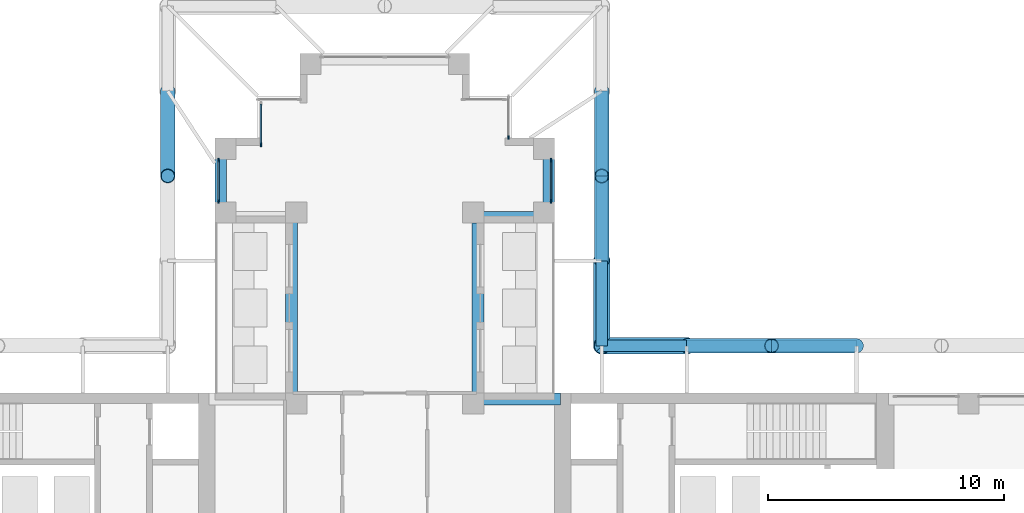
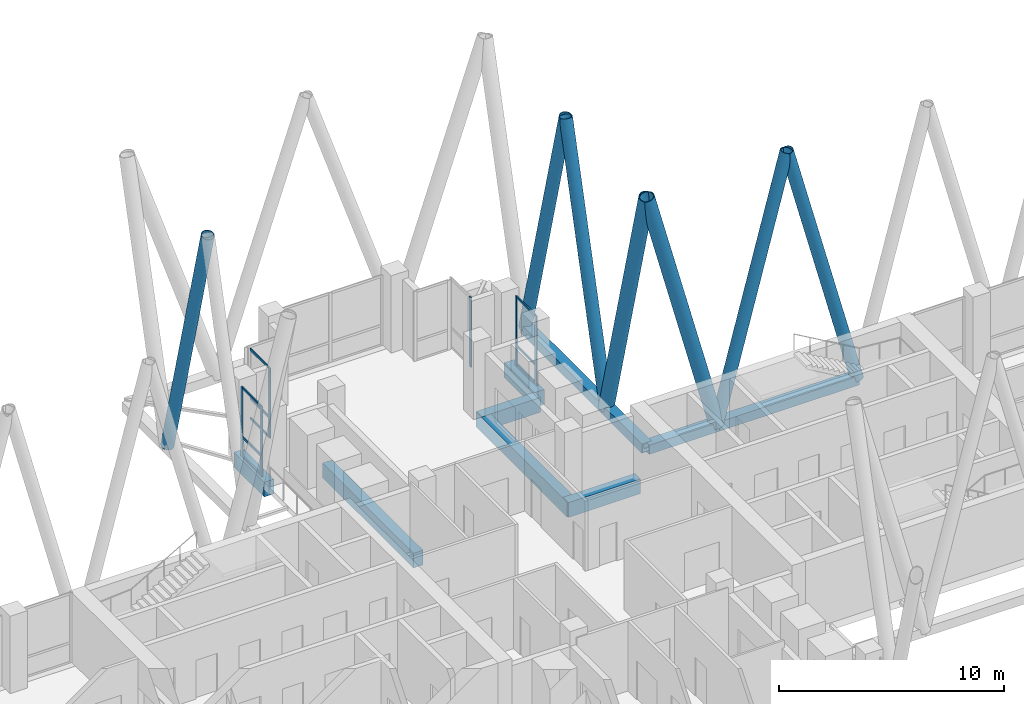
# One storey, part 7 of 22: 26 members, 6 beams, 4 elements without a shape of their own.
"""IFC4 building model written with IfcOpenShell, lengths in metres."""

from ifc_helpers import new_model, si_unit, direction, frame, origin, origin_2d, place, context, subcontext, project, spatial, rectangle, hollow_rectangle, hollow_circle, extrude, material, material_profile, profile_set, type_object, element, aggregate, save


model = new_model("IFC4")

# Units and contexts
model_context = context("Model", 3, precision=1e-05, world=origin(), true_north=direction((0.0, 1.0)))
body_context = subcontext(model_context, "Body", "Model", "MODEL_VIEW")
ifc_project = project(units=[si_unit("LENGTHUNIT", "METRE"), si_unit("AREAUNIT", "SQUARE_METRE"), si_unit("VOLUMEUNIT", "CUBIC_METRE"), si_unit("PLANEANGLEUNIT", "RADIAN"), si_unit("MASSUNIT", "GRAM", prefix="KILO")], contexts=[model_context])

# Site, building, storey
site_placement = place(None, origin())
site = spatial("IfcSite", under=ifc_project, at=site_placement, CompositionType="ELEMENT")
building_placement = place(site_placement, origin())
building = spatial("IfcBuilding", under=site, at=building_placement, Name="Fustian Cross Tower", CompositionType="ELEMENT")
storey_placement = place(building_placement, frame((0.0, 0.0, 116.10009765625)))
storey = spatial("IfcBuildingStorey", under=building, at=storey_placement, Name="L36", CompositionType="ELEMENT", Elevation=116.10009765625)

# Curtain wall, members
ifc_material_1 = material(Name="Dark anodised aluminium and double glazing", Category="aluminium")
curtain_wall_type = type_object("IfcCurtainWallType", Name="CW1 LOUNGE CURTAIN WALL", PredefinedType="NOTDEFINED", material=ifc_material_1)
curtain_wall_1_placement = place(storey_placement, origin())
curtain_wall_1 = element("IfcCurtainWall", 1, at=curtain_wall_1_placement, inside=storey, type_object=curtain_wall_type, Name="Curtain wall", PredefinedType="NOTDEFINED")
ifc_material_2 = material(Name="Aluminium alloy 6063", Category="aluminium")
ifc_material_profile_1 = material_profile(ifc_material_2, rectangle(XDim=0.06005859375, YDim=0.159912109375, at=origin_2d()), Name="CW1 MULLION 60X160")
ifc_profile_set_1 = profile_set([ifc_material_profile_1], Name="Aluminium alloy 6063")
member_type_1 = type_object("IfcMemberType", Name="CW1 MULLION 60X160", PredefinedType="MULLION", material=ifc_profile_set_1)
member_1_placement = place(storey_placement, frame((7.050048828125, 15.330078125, 0.0), z_axis=(0.0, 0.0, 1.0), x_axis=(-1.0, 0.0, 0.0)))
member_1 = element("IfcMember", 2, at=member_1_placement, type_object=member_type_1, Name="CW1 mullion 1", PredefinedType="MULLION", context=body_context, shape_type="SweptSolid", body=[
    extrude(rectangle(XDim=0.06005859375, YDim=0.159912109375, at=origin_2d()), origin(), (0.0, 0.0, 1.0), 3.7998046875),
])
member_2_placement = place(storey_placement, frame((7.050048828125, 17.070068359375, 0.0), z_axis=(0.0, 0.0, 1.0), x_axis=(-1.0, 0.0, 0.0)))
member_2 = element("IfcMember", 3, at=member_2_placement, type_object=member_type_1, Name="CW1 mullion 2", PredefinedType="MULLION", context=body_context, shape_type="SweptSolid", body=[
    extrude(rectangle(XDim=0.06005859375, YDim=0.159912109375, at=origin_2d()), origin(), (0.0, 0.0, 1.0), 3.7998046875),
])

# Curtain wall, member
curtain_wall_2_placement = place(storey_placement, origin())
curtain_wall_2 = element("IfcCurtainWall", 4, at=curtain_wall_2_placement, inside=storey, type_object=curtain_wall_type, Name="Curtain wall", PredefinedType="NOTDEFINED")
member_3_placement = place(storey_placement, frame((5.25, 18.030029296875, 0.0), z_axis=(0.0, 0.0, 1.0), x_axis=(-1.0, 0.0, 0.0)))
member_3 = element("IfcMember", 5, at=member_3_placement, type_object=member_type_1, Name="CW1 mullion 1", PredefinedType="MULLION", context=body_context, shape_type="SweptSolid", body=[
    extrude(rectangle(XDim=0.06005859375, YDim=0.159912109375, at=origin_2d()), origin(), (0.0, 0.0, 1.0), 3.7998046875),
])
aggregate(curtain_wall_2, [member_3])

curtain_wall_3_placement = place(storey_placement, origin())
curtain_wall_3 = element("IfcCurtainWall", 6, at=curtain_wall_3_placement, inside=storey, type_object=curtain_wall_type, Name="Curtain wall", PredefinedType="NOTDEFINED")
member_4_placement = place(storey_placement, frame((-5.25, 17.72998046875, 0.0), z_axis=(0.0, 0.0, 1.0), x_axis=(1.0, 0.0, 0.0)))
member_4 = element("IfcMember", 7, at=member_4_placement, type_object=member_type_1, Name="CW1 mullion 2", PredefinedType="MULLION", context=body_context, shape_type="SweptSolid", body=[
    extrude(rectangle(XDim=0.06005859375, YDim=0.159912109375, at=origin_2d()), origin(), (0.0, 0.0, 1.0), 3.7998046875),
])

# Curtain wall, members
curtain_wall_4_placement = place(storey_placement, origin())
curtain_wall_4 = element("IfcCurtainWall", 8, at=curtain_wall_4_placement, inside=storey, type_object=curtain_wall_type, Name="Curtain wall", PredefinedType="NOTDEFINED")
member_5_placement = place(storey_placement, frame((-7.050048828125, 17.070068359375, 0.0), z_axis=(0.0, 0.0, 1.0), x_axis=(1.0, 0.0, 0.0)))
member_5 = element("IfcMember", 9, at=member_5_placement, type_object=member_type_1, Name="CW1 mullion 1", PredefinedType="MULLION", context=body_context, shape_type="SweptSolid", body=[
    extrude(rectangle(XDim=0.06005859375, YDim=0.159912109375, at=origin_2d()), origin(), (0.0, 0.0, 1.0), 3.7998046875),
])
member_6_placement = place(storey_placement, frame((-7.050048828125, 15.330078125, 0.0), z_axis=(0.0, 0.0, 1.0), x_axis=(1.0, 0.0, 0.0)))
member_6 = element("IfcMember", 10, at=member_6_placement, type_object=member_type_1, Name="CW1 mullion 2", PredefinedType="MULLION", context=body_context, shape_type="SweptSolid", body=[
    extrude(rectangle(XDim=0.06005859375, YDim=0.159912109375, at=origin_2d()), origin(), (0.0, 0.0, 1.0), 3.7998046875),
])

# Member
ifc_material_3 = material(Name="Aluminium alloy 6063", Category="aluminium")
ifc_material_profile_2 = material_profile(ifc_material_3, rectangle(XDim=0.06005859375, YDim=0.1201171875, at=origin_2d()), Name="CW1 TRANSOM 60X120")
ifc_profile_set_2 = profile_set([ifc_material_profile_2], Name="Aluminium alloy 6063")
member_type_2 = type_object("IfcMemberType", Name="CW1 TRANSOM 60X120", PredefinedType="USERDEFINED", material=ifc_profile_set_2)
member_7_placement = place(storey_placement, frame((7.050048828125, 15.360107421875, 0.02978515625), z_axis=(0.0, 1.0, 0.0), x_axis=(-1.0, 0.0, 0.0)))
member_7 = element("IfcMember", 11, at=member_7_placement, type_object=member_type_2, Name="CW1 transom 1.1", ObjectType="TRANSOM", PredefinedType="USERDEFINED", context=body_context, shape_type="SweptSolid", body=[
    extrude(rectangle(XDim=0.06005859375, YDim=0.1201171875, at=origin_2d()), origin(), (0.0, 0.0, 1.0), 1.679931640625),
])

member_8_placement = place(storey_placement, frame((7.050048828125, 15.360107421875, 1.099853515625), z_axis=(0.0, 1.0, 0.0), x_axis=(-1.0, 0.0, 0.0)))
member_8 = element("IfcMember", 12, at=member_8_placement, type_object=member_type_2, Name="CW1 transom 1.2", ObjectType="TRANSOM", PredefinedType="USERDEFINED", context=body_context, shape_type="SweptSolid", body=[
    extrude(rectangle(XDim=0.06005859375, YDim=0.1201171875, at=origin_2d()), origin(), (0.0, 0.0, 1.0), 1.679931640625),
])

member_9_placement = place(storey_placement, frame((7.050048828125, 15.360107421875, 3.77001953125), z_axis=(0.0, 1.0, 0.0), x_axis=(-1.0, 0.0, 0.0)))
member_9 = element("IfcMember", 13, at=member_9_placement, type_object=member_type_2, Name="CW1 transom 1.3", ObjectType="TRANSOM", PredefinedType="USERDEFINED", context=body_context, shape_type="SweptSolid", body=[
    extrude(rectangle(XDim=0.06005859375, YDim=0.1201171875, at=origin_2d()), origin(), (0.0, 0.0, 1.0), 1.679931640625),
])

aggregate(curtain_wall_1, [member_1, member_2, member_7, member_8, member_9])

member_10_placement = place(storey_placement, frame((-5.25, 19.43994140625, 0.02978515625), z_axis=(0.0, -1.0, 0.0), x_axis=(1.0, 0.0, 0.0)))
member_10 = element("IfcMember", 14, at=member_10_placement, type_object=member_type_2, Name="CW1 transom 1.1", ObjectType="TRANSOM", PredefinedType="USERDEFINED", context=body_context, shape_type="SweptSolid", body=[
    extrude(rectangle(XDim=0.06005859375, YDim=0.1201171875, at=origin_2d()), origin(), (0.0, 0.0, 1.0), 1.679931640625),
])

member_11_placement = place(storey_placement, frame((-5.25, 19.43994140625, 1.099853515625), z_axis=(0.0, -1.0, 0.0), x_axis=(1.0, 0.0, 0.0)))
member_11 = element("IfcMember", 15, at=member_11_placement, type_object=member_type_2, Name="CW1 transom 1.2", ObjectType="TRANSOM", PredefinedType="USERDEFINED", context=body_context, shape_type="SweptSolid", body=[
    extrude(rectangle(XDim=0.06005859375, YDim=0.1201171875, at=origin_2d()), origin(), (0.0, 0.0, 1.0), 1.679931640625),
])

member_12_placement = place(storey_placement, frame((-5.25, 19.43994140625, 3.77001953125), z_axis=(0.0, -1.0, 0.0), x_axis=(1.0, 0.0, 0.0)))
member_12 = element("IfcMember", 16, at=member_12_placement, type_object=member_type_2, Name="CW1 transom 1.3", ObjectType="TRANSOM", PredefinedType="USERDEFINED", context=body_context, shape_type="SweptSolid", body=[
    extrude(rectangle(XDim=0.06005859375, YDim=0.1201171875, at=origin_2d()), origin(), (0.0, 0.0, 1.0), 1.679931640625),
])

aggregate(curtain_wall_3, [member_4, member_10, member_11, member_12])

member_13_placement = place(storey_placement, frame((-7.050048828125, 17.0400390625, 0.02978515625), z_axis=(0.0, -1.0, 0.0), x_axis=(1.0, 0.0, 0.0)))
member_13 = element("IfcMember", 17, at=member_13_placement, type_object=member_type_2, Name="CW1 transom 1.1", ObjectType="TRANSOM", PredefinedType="USERDEFINED", context=body_context, shape_type="SweptSolid", body=[
    extrude(rectangle(XDim=0.06005859375, YDim=0.1201171875, at=origin_2d()), origin(), (0.0, 0.0, 1.0), 1.679931640625),
])

member_14_placement = place(storey_placement, frame((-7.050048828125, 17.0400390625, 1.099853515625), z_axis=(0.0, -1.0, 0.0), x_axis=(1.0, 0.0, 0.0)))
member_14 = element("IfcMember", 18, at=member_14_placement, type_object=member_type_2, Name="CW1 transom 1.2", ObjectType="TRANSOM", PredefinedType="USERDEFINED", context=body_context, shape_type="SweptSolid", body=[
    extrude(rectangle(XDim=0.06005859375, YDim=0.1201171875, at=origin_2d()), origin(), (0.0, 0.0, 1.0), 1.679931640625),
])

member_15_placement = place(storey_placement, frame((-7.050048828125, 17.0400390625, 3.77001953125), z_axis=(0.0, -1.0, 0.0), x_axis=(1.0, 0.0, 0.0)))
member_15 = element("IfcMember", 19, at=member_15_placement, type_object=member_type_2, Name="CW1 transom 1.3", ObjectType="TRANSOM", PredefinedType="USERDEFINED", context=body_context, shape_type="SweptSolid", body=[
    extrude(rectangle(XDim=0.06005859375, YDim=0.1201171875, at=origin_2d()), origin(), (0.0, 0.0, 1.0), 1.679931640625),
])

aggregate(curtain_wall_4, [member_5, member_6, member_13, member_14, member_15])

# Members
ifc_material_4 = material(Name="Steel S355", Category="steel")
ifc_material_profile_3 = material_profile(ifc_material_4, hollow_circle(Radius=0.3046875, WallThickness=0.02490234375, at=origin_2d()), Name="CHS 610x25")
ifc_profile_set_3 = profile_set([ifc_material_profile_3], Name="Steel S355")
member_type_3 = type_object("IfcMemberType", Name="DIAGRID DIAGONAL CHS 610x25", PredefinedType="BRACE", material=ifc_profile_set_3)
member_16_placement = place(storey_placement, frame((20.0, 9.199951171875, -0.400146484375), z_axis=(-0.255897330119, 0.0, 0.966703965254), x_axis=(0.0, -1.0, 0.0)))
element("IfcMember", 20, at=member_16_placement, inside=storey, type_object=member_type_3, Name="Diagrid diagonal E-N 08", PredefinedType="BRACE", context=body_context, shape_type="SweptSolid", body=[
    extrude(hollow_circle(Radius=0.3046875, WallThickness=0.02490234375, at=origin_2d()), origin(), (0.0, 0.0, 1.0), 14.068603515625),
])
for number, where, z_axis, x_axis, name in (
    (21, (12.800048828125, 9.199951171875, -0.400146484375), (0.255881112712, 0.0, 0.966708258037), (0.0, 1.0, 0.0), "Diagrid diagonal E-N 09"),
    (22, (9.199951171875, 12.800048828125, -0.400146484375), (0.0, 0.255881112712, 0.966708258037), (-1.0, 0.0, 0.0), "Diagrid diagonal N-E 02"),
):
    element("IfcMember", number, at=place(storey_placement, frame(where, z_axis=z_axis, x_axis=x_axis)), inside=storey, type_object=member_type_3, Name=name, PredefinedType="BRACE", context=body_context, shape_type="SweptSolid", body=[
        extrude(hollow_circle(Radius=0.3046875, WallThickness=0.02490234375, at=origin_2d()), origin(), (0.0, 0.0, 1.0), 14.068359375),
    ])
for number, where, z_axis, x_axis, name in (
    (23, (9.199951171875, 20.0, -0.400146484375), (0.0, -0.255897330119, 0.966703965254), (1.0, 0.0, 0.0), "Diagrid diagonal N-E 03"),
    (24, (-9.199951171875, 20.0, -0.400146484375), (0.0, -0.255897330119, 0.966703965254), (1.0, 0.0, 0.0), "Diagrid diagonal N-W 02"),
):
    element("IfcMember", number, at=place(storey_placement, frame(where, z_axis=z_axis, x_axis=x_axis)), inside=storey, type_object=member_type_3, Name=name, PredefinedType="BRACE", context=body_context, shape_type="SweptSolid", body=[
        extrude(hollow_circle(Radius=0.3046875, WallThickness=0.02490234375, at=origin_2d()), origin(), (0.0, 0.0, 1.0), 14.068603515625),
    ])
ifc_material_5 = material(Name="Steel S355", Category="steel")
ifc_material_profile_4 = material_profile(ifc_material_5, hollow_circle(Radius=0.355712890625, WallThickness=0.031982421875, at=origin_2d()), Name="CHS 711x32")
ifc_profile_set_4 = profile_set([ifc_material_profile_4], Name="Steel S355")
member_type_4 = type_object("IfcMemberType", Name="DIAGRID DIAGONAL CHS 711x32", PredefinedType="BRACE", material=ifc_profile_set_4)
for number, where, z_axis, x_axis, name in (
    (25, (12.800048828125, 9.199951171875, -0.400146484375), (-0.255897330119, 0.0, 0.966703965254), (0.0, -1.0, 0.0), "Diagrid diagonal E-N 10"),
    (26, (9.199951171875, 12.800048828125, -0.400146484375), (0.0, -0.255897330119, 0.966703965254), (1.0, 0.0, 0.0), "Diagrid diagonal N-E 01"),
):
    element("IfcMember", number, at=place(storey_placement, frame(where, z_axis=z_axis, x_axis=x_axis)), inside=storey, type_object=member_type_4, Name=name, PredefinedType="BRACE", context=body_context, shape_type="SweptSolid", body=[
        extrude(hollow_circle(Radius=0.355712890625, WallThickness=0.031982421875, at=origin_2d()), origin(), (0.0, 0.0, 1.0), 14.068603515625),
    ])
ifc_material_6 = material(Name="Steel S355", Category="steel")
ifc_material_profile_5 = material_profile(ifc_material_6, hollow_rectangle(XDim=0.5, YDim=0.5, WallThickness=0.02490234375, at=origin_2d()), Name="RHS 500x500x25")
ifc_profile_set_5 = profile_set([ifc_material_profile_5], Name="Steel S355")
member_type_5 = type_object("IfcMemberType", Name="DIAGRID RING RHS 500x500x25", PredefinedType="MEMBER", material=ifc_profile_set_5)
member_17_placement = place(storey_placement, frame((20.0, 9.199951171875, -0.400146484375), z_axis=(-1.0, 0.0, 0.0), x_axis=(0.0, -1.0, 0.0)))
element("IfcMember", 27, at=member_17_placement, inside=storey, type_object=member_type_5, Name="Diagrid ring L36-06 L36-07", PredefinedType="MEMBER", context=body_context, shape_type="SweptSolid", body=[
    extrude(hollow_rectangle(XDim=0.5, YDim=0.5, WallThickness=0.02490234375, at=origin_2d()), origin(), (0.0, 0.0, 1.0), 7.199951171875),
])
for number, where, z_axis, x_axis, name in (
    (28, (12.800048828125, 9.199951171875, -0.400146484375), (-1.0, 0.0, 0.0), (0.0, -1.0, 0.0), "Diagrid ring L36-07 L36-08"),
    (29, (9.199951171875, 9.199951171875, -0.400146484375), (0.0, 1.0, 0.0), (-1.0, 0.0, 0.0), "Diagrid ring L36-08 L36-09"),
):
    element("IfcMember", number, at=place(storey_placement, frame(where, z_axis=z_axis, x_axis=x_axis)), inside=storey, type_object=member_type_5, Name=name, PredefinedType="MEMBER", context=body_context, shape_type="SweptSolid", body=[
        extrude(hollow_rectangle(XDim=0.5, YDim=0.5, WallThickness=0.02490234375, at=origin_2d()), origin(), (0.0, 0.0, 1.0), 3.60009765625),
    ])
member_18_placement = place(storey_placement, frame((9.199951171875, 12.800048828125, -0.400146484375), z_axis=(0.0, 1.0, 0.0), x_axis=(-1.0, 0.0, 0.0)))
element("IfcMember", 30, at=member_18_placement, inside=storey, type_object=member_type_5, Name="Diagrid ring L36-09 L36-10", PredefinedType="MEMBER", context=body_context, shape_type="SweptSolid", body=[
    extrude(hollow_rectangle(XDim=0.5, YDim=0.5, WallThickness=0.02490234375, at=origin_2d()), origin(), (0.0, 0.0, 1.0), 7.199951171875),
])

# Beams
ifc_material_7 = material(Name="Concrete C50/60", Category="concrete")
ifc_material_profile_6 = material_profile(ifc_material_7, rectangle(XDim=0.5, YDim=0.800048828125, at=origin_2d()), Name="RC 500x800")
ifc_profile_set_6 = profile_set([ifc_material_profile_6], Name="Concrete C50/60")
beam_type = type_object("IfcBeamType", Name="EDGE BEAM RC 500x800 C50/60", PredefinedType="SPANDREL", material=ifc_profile_set_6)
beam_1_placement = place(storey_placement, frame((7.449951171875, 6.949951171875, -0.400146484375), z_axis=(-1.0, 0.0, 0.0), x_axis=(0.0, -1.0, 0.0)))
element("IfcBeam", 31, at=beam_1_placement, inside=storey, type_object=beam_type, Name="EDGE BEAM L36-10", PredefinedType="SPANDREL", context=body_context, shape_type="SweptSolid", body=[
    extrude(rectangle(XDim=0.5, YDim=0.800048828125, at=origin_2d()), origin(), (0.0, 0.0, 1.0), 3.699951171875),
])
beam_2_placement = place(storey_placement, frame((3.949951171875, 6.75, -0.400146484375), z_axis=(0.0, 1.0, 0.0), x_axis=(-1.0, 0.0, 0.0)))
element("IfcBeam", 32, at=beam_2_placement, inside=storey, type_object=beam_type, Name="EDGE BEAM L36-11", PredefinedType="SPANDREL", context=body_context, shape_type="SweptSolid", body=[
    extrude(rectangle(XDim=0.5, YDim=0.800048828125, at=origin_2d()), origin(), (0.0, 0.0, 1.0), 8.10009765625),
])
beam_3_placement = place(storey_placement, frame((3.75, 14.64990234375, -0.400146484375), z_axis=(1.0, 0.0, 0.0), x_axis=(0.0, 1.0, 0.0)))
element("IfcBeam", 33, at=beam_3_placement, inside=storey, type_object=beam_type, Name="EDGE BEAM L36-12", PredefinedType="SPANDREL", context=body_context, shape_type="SweptSolid", body=[
    extrude(rectangle(XDim=0.5, YDim=0.800048828125, at=origin_2d()), origin(), (0.0, 0.0, 1.0), 3.0),
])
for number, where, z_axis, x_axis, name in (
    (34, (6.949951171875, 14.85009765625, -0.400146484375), (0.0, 1.0, 0.0), (-1.0, 0.0, 0.0), "EDGE BEAM L36-13"),
    (35, (-6.949951171875, 17.550048828125, -0.400146484375), (0.0, -1.0, 0.0), (1.0, 0.0, 0.0), "EDGE BEAM L36-15"),
):
    element("IfcBeam", number, at=place(storey_placement, frame(where, z_axis=z_axis, x_axis=x_axis)), inside=storey, type_object=beam_type, Name=name, PredefinedType="SPANDREL", context=body_context, shape_type="SweptSolid", body=[
        extrude(rectangle(XDim=0.5, YDim=0.800048828125, at=origin_2d()), origin(), (0.0, 0.0, 1.0), 2.699951171875),
    ])
beam_4_placement = place(storey_placement, frame((-3.949951171875, 14.85009765625, -0.400146484375), z_axis=(0.0, -1.0, 0.0), x_axis=(1.0, 0.0, 0.0)))
element("IfcBeam", 36, at=beam_4_placement, inside=storey, type_object=beam_type, Name="EDGE BEAM L36-17", PredefinedType="SPANDREL", context=body_context, shape_type="SweptSolid", body=[
    extrude(rectangle(XDim=0.5, YDim=0.800048828125, at=origin_2d()), origin(), (0.0, 0.0, 1.0), 8.10009765625),
])

save(model, "model.ifc")
